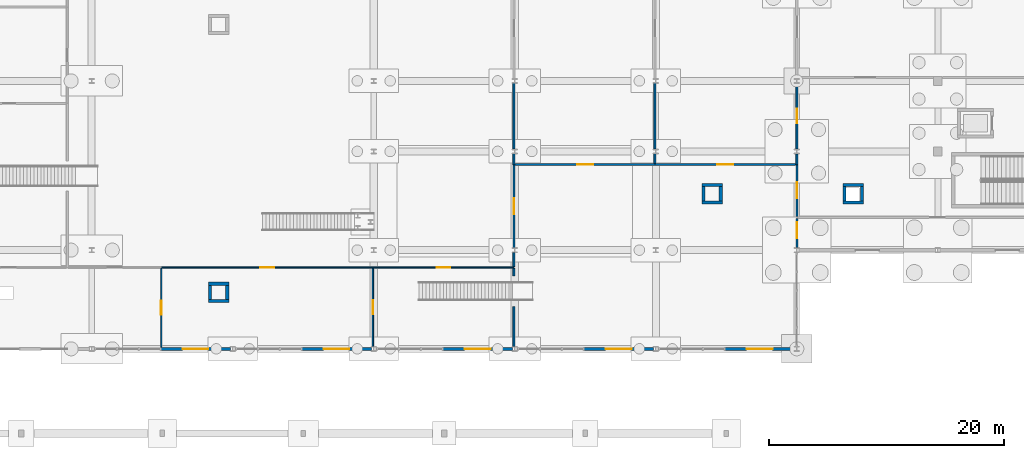
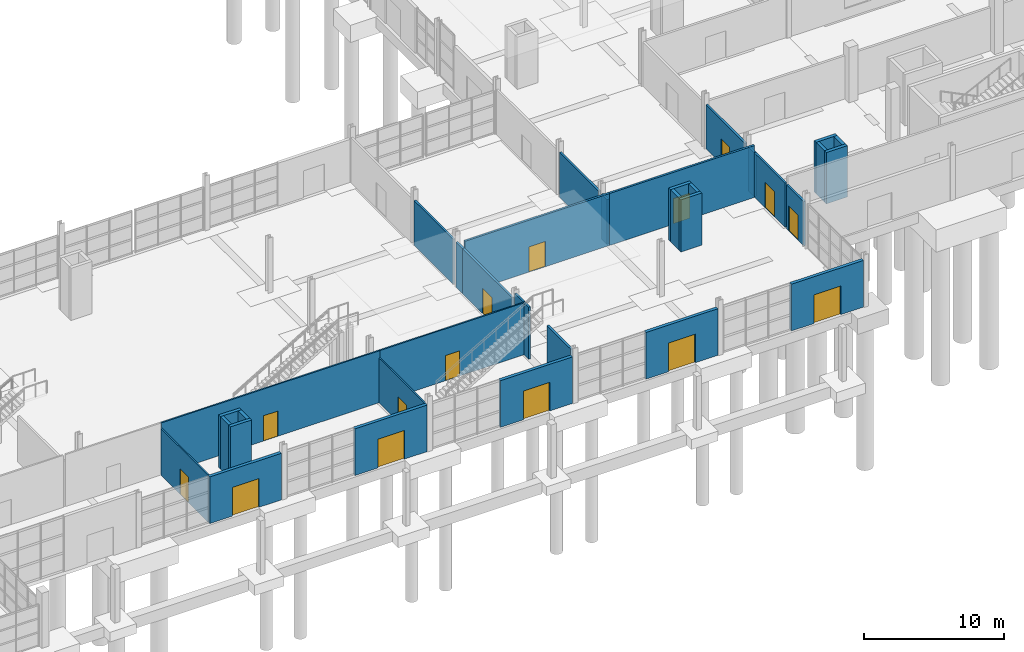
# One storey, part 57 of 82: 35 walls, 15 doors, 15 openings.
"""IFC4 building model written with IfcOpenShell, lengths in metres."""

from ifc_helpers import new_model, si_unit, direction, frame, frame_2d, origin, place, context, subcontext, project, spatial, rectangle, extrude, material, layer, layer_set, type_object, element, fill, save


model = new_model("IFC4")

# Units and contexts
model_context = context("Model", 3, precision=1e-05, world=origin(), true_north=direction((0.0, 1.0)))
body_context = subcontext(model_context, "Body", "Model", "MODEL_VIEW")
ifc_project = project(units=[si_unit("LENGTHUNIT", "METRE"), si_unit("AREAUNIT", "SQUARE_METRE"), si_unit("VOLUMEUNIT", "CUBIC_METRE"), si_unit("PLANEANGLEUNIT", "RADIAN"), si_unit("MASSUNIT", "GRAM", prefix="KILO")], contexts=[model_context])

# Site, building, storey
site_placement = place(None, origin())
site = spatial("IfcSite", under=ifc_project, at=site_placement, CompositionType="ELEMENT")
building_placement = place(site_placement, origin())
building = spatial("IfcBuilding", under=site, at=building_placement, Name="Kelmvaro Bay Concert Hall", CompositionType="ELEMENT")
storey_placement = place(building_placement, origin())
storey = spatial("IfcBuildingStorey", under=building, at=storey_placement, Name="L00", CompositionType="ELEMENT", Elevation=0.0)

# Wall, opening, door
ifc_material_1 = material(Name="Acoustic Gypsum Board on Galvanised Steel Studs", Category="steel")
ifc_layer_1 = layer(ifc_material_1, 0.169921875)
ifc_layer_set_1 = layer_set([ifc_layer_1], Name="Acoustic Gypsum Board on Galvanised Steel Studs")
wall_type_1 = type_object("IfcWallType", Name="Corridor Fire Compartment Partition 170", PredefinedType="PARTITIONING", material=ifc_layer_set_1)
wall_1_placement = place(storey_placement, frame((120.0, 18.47509765625, 0.0), z_axis=(0.0, 0.0, 1.0), x_axis=(0.0, 1.0, 0.0)))
wall_1 = element("IfcWall", 1, at=wall_1_placement, inside=storey, type_object=wall_type_1, Name="L00 Interior Partition PT-L00-0086", PredefinedType="PARTITIONING", context=body_context, shape_type="SweptSolid", body=[
    extrude(rectangle(XDim=4.409912109375, YDim=0.169921875, at=frame_2d((2.205078125, 0.0))), origin(), (0.0, 0.0, 1.0), 3.847900390625),
])
opening_1_placement = place(wall_1_placement, frame((1.52490234375, 0.0, 0.0)))
opening_1 = element("IfcOpeningElement", 2, at=opening_1_placement, cuts=wall_1, Name="Opening ID-DN1", PredefinedType="OPENING", context=body_context, shape_type="SweptSolid", body=[
    extrude(rectangle(XDim=1.360107421875, YDim=2.199951171875, at=frame_2d((0.68017578125, 1.10009765625))), frame((0.0, 0.094970703125, 0.0), z_axis=(0.0, -1.0, 0.0), x_axis=(1.0, 0.0, 0.0)), (0.0, 0.0, 1.0), 0.18994140625),
])
ifc_material_2 = material(Name="Brushed Stainless Steel Core", Category="steel")
door_type_1 = type_object("IfcDoorType", Name="Dining and Kitchen Service Door 1360x2200", OperationType="NOTDEFINED", PredefinedType="DOOR", material=ifc_material_2)
door_1_placement = place(opening_1_placement, origin())
door_1 = element("IfcDoor", 3, at=door_1_placement, inside=storey, type_object=door_type_1, Name="L00 Interior Door DR-INT-L00-0054", OperationType="SINGLE_SWING_RIGHT", OverallHeight=2.199951171875, OverallWidth=1.360107421875, PredefinedType="DOOR", context=body_context, shape_type="SweptSolid", body=[
    extrude(rectangle(XDim=1.360107421875, YDim=2.199951171875, at=frame_2d((0.68017578125, 1.10009765625))), frame((0.0, 0.02490234375, 0.0), z_axis=(0.0, -1.0, 0.0), x_axis=(1.0, 0.0, 0.0)), (0.0, 0.0, 1.0), 0.050048828125),
])
fill(opening_1, door_1)

# Wall
wall_2_placement = place(storey_placement, frame((120.0, 22.875, 0.0), z_axis=(0.0, 0.0, 1.0), x_axis=(0.0, 1.0, 0.0)))
element("IfcWall", 4, at=wall_2_placement, inside=storey, type_object=wall_type_1, Name="L00 Interior Partition PT-L00-0087", PredefinedType="PARTITIONING", context=body_context, shape_type="SweptSolid", body=[
    extrude(rectangle(XDim=0.919921875, YDim=0.169921875, at=frame_2d((0.4599609375, 0.0))), origin(), (0.0, 0.0, 1.0), 3.847900390625),
])

# Wall, opening, door
wall_3_placement = place(storey_placement, frame((120.0, 24.205078125, 0.0), z_axis=(0.0, 0.0, 1.0), x_axis=(0.0, 1.0, 0.0)))
wall_3 = element("IfcWall", 5, at=wall_3_placement, inside=storey, type_object=wall_type_1, Name="L00 Interior Partition PT-L00-0088", PredefinedType="PARTITIONING", context=body_context, shape_type="SweptSolid", body=[
    extrude(rectangle(XDim=5.58984375, YDim=0.169921875, at=frame_2d((2.794921875, 0.0))), origin(), (0.0, 0.0, 1.0), 3.847900390625),
])
opening_2_placement = place(wall_3_placement, frame((2.18505859375, 0.0, 0.0)))
opening_2 = element("IfcOpeningElement", 6, at=opening_2_placement, cuts=wall_3, Name="Opening ID-ST2", PredefinedType="OPENING", context=body_context, shape_type="SweptSolid", body=[
    extrude(rectangle(XDim=1.219970703125, YDim=2.179931640625, at=frame_2d((0.60986328125, 1.08984375))), frame((0.0, 0.094970703125, 0.0), z_axis=(0.0, -1.0, 0.0), x_axis=(1.0, 0.0, 0.0)), (0.0, 0.0, 1.0), 0.18994140625),
])
ifc_material_3 = material(Name="Acoustic Oak and Fire Glass", Category="glass")
door_type_2 = type_object("IfcDoorType", Name="Core Lobby Smoke Control Door 1220x2180", OperationType="NOTDEFINED", PredefinedType="DOOR", material=ifc_material_3)
door_2_placement = place(opening_2_placement, origin())
door_2 = element("IfcDoor", 7, at=door_2_placement, inside=storey, type_object=door_type_2, Name="L00 Interior Door DR-INT-L00-0055", OperationType="SINGLE_SWING_LEFT", OverallHeight=2.179931640625, OverallWidth=1.219970703125, PredefinedType="DOOR", context=body_context, shape_type="SweptSolid", body=[
    extrude(rectangle(XDim=1.219970703125, YDim=2.179931640625, at=frame_2d((0.60986328125, 1.08984375))), frame((0.0, 0.02490234375, 0.0), z_axis=(0.0, -1.0, 0.0), x_axis=(1.0, 0.0, 0.0)), (0.0, 0.0, 1.0), 0.050048828125),
])
fill(opening_2, door_2)

wall_4_placement = place(storey_placement, frame((120.0, 15.8076171875, 0.0), z_axis=(0.0, 0.0, 1.0), x_axis=(0.0, 1.0, 0.0)))
wall_4 = element("IfcWall", 8, at=wall_4_placement, inside=storey, type_object=wall_type_1, Name="L00 Interior Partition PT-L00-0090", PredefinedType="PARTITIONING", context=body_context, shape_type="SweptSolid", body=[
    extrude(rectangle(XDim=2.477294921875, YDim=0.169921875, at=frame_2d((1.23876953125, 0.0))), origin(), (0.0, 0.0, 1.0), 3.847900390625),
])
opening_3_placement = place(wall_4_placement, frame((0.797607421875, 0.0, 0.0)))
opening_3 = element("IfcOpeningElement", 9, at=opening_3_placement, cuts=wall_4, Name="Opening ID-DN1", PredefinedType="OPENING", context=body_context, shape_type="SweptSolid", body=[
    extrude(rectangle(XDim=1.360107421875, YDim=2.199951171875, at=frame_2d((0.68017578125, 1.10009765625))), frame((0.0, 0.094970703125, 0.0), z_axis=(0.0, -1.0, 0.0), x_axis=(1.0, 0.0, 0.0)), (0.0, 0.0, 1.0), 0.18994140625),
])
door_3_placement = place(opening_3_placement, origin())
door_3 = element("IfcDoor", 10, at=door_3_placement, inside=storey, type_object=door_type_1, Name="L00 Interior Door DR-INT-L00-0057", OperationType="SINGLE_SWING_LEFT", OverallHeight=2.199951171875, OverallWidth=1.360107421875, PredefinedType="DOOR", context=body_context, shape_type="SweptSolid", body=[
    extrude(rectangle(XDim=1.360107421875, YDim=2.199951171875, at=frame_2d((0.68017578125, 1.10009765625))), frame((0.0, 0.02490234375, 0.0), z_axis=(0.0, -1.0, 0.0), x_axis=(1.0, 0.0, 0.0)), (0.0, 0.0, 1.0), 0.050048828125),
])
fill(opening_3, door_3)

# Wall
wall_5_placement = place(storey_placement, frame((95.919921875, 14.18994140625, 0.0), z_axis=(0.0, 0.0, 1.0), x_axis=(0.0, 1.0, 0.0)))
element("IfcWall", 11, at=wall_5_placement, inside=storey, type_object=wall_type_1, Name="L00 Interior Partition PT-L00-0100", PredefinedType="PARTITIONING", context=body_context, shape_type="SweptSolid", body=[
    extrude(rectangle(XDim=1.211669921875, YDim=0.169921875, at=frame_2d((0.60595703125, 0.0))), origin(), (0.0, 0.0, 1.0), 4.530029296875),
])

# Wall, opening, door
wall_6_placement = place(storey_placement, frame((95.919921875, 15.798583984375, 0.0), z_axis=(0.0, 0.0, 1.0), x_axis=(0.0, 1.0, 0.0)))
wall_6 = element("IfcWall", 12, at=wall_6_placement, inside=storey, type_object=wall_type_1, Name="L00 Interior Partition PT-L00-0101", PredefinedType="PARTITIONING", context=body_context, shape_type="SweptSolid", body=[
    extrude(rectangle(XDim=7.08642578125, YDim=0.169921875, at=frame_2d((3.543212890625, 0.0))), origin(), (0.0, 0.0, 1.0), 3.91796875),
])
opening_4_placement = place(wall_6_placement, frame((2.86328125, 0.0, 0.0)))
opening_4 = element("IfcOpeningElement", 13, at=opening_4_placement, cuts=wall_6, Name="Opening ID-DN1", PredefinedType="OPENING", context=body_context, shape_type="SweptSolid", body=[
    extrude(rectangle(XDim=1.360107421875, YDim=2.199951171875, at=frame_2d((0.68017578125, 1.10009765625))), frame((0.0, 0.094970703125, 0.0), z_axis=(0.0, -1.0, 0.0), x_axis=(1.0, 0.0, 0.0)), (0.0, 0.0, 1.0), 0.18994140625),
])
door_4_placement = place(opening_4_placement, origin())
door_4 = element("IfcDoor", 14, at=door_4_placement, inside=storey, type_object=door_type_1, Name="L00 Interior Door DR-INT-L00-0064", OperationType="SINGLE_SWING_RIGHT", OverallHeight=2.199951171875, OverallWidth=1.360107421875, PredefinedType="DOOR", context=body_context, shape_type="SweptSolid", body=[
    extrude(rectangle(XDim=1.360107421875, YDim=2.199951171875, at=frame_2d((0.68017578125, 1.10009765625))), frame((0.0, 0.02490234375, 0.0), z_axis=(0.0, -1.0, 0.0), x_axis=(1.0, 0.0, 0.0)), (0.0, 0.0, 1.0), 0.050048828125),
])
fill(opening_4, door_4)

# Walls
wall_7_placement = place(storey_placement, frame((95.919921875, 22.875, 0.0), z_axis=(0.0, 0.0, 1.0), x_axis=(0.0, 1.0, 0.0)))
element("IfcWall", 15, at=wall_7_placement, inside=storey, type_object=wall_type_1, Name="L00 Interior Partition PT-L00-0102", PredefinedType="PARTITIONING", context=body_context, shape_type="SweptSolid", body=[
    extrude(rectangle(XDim=0.926513671875, YDim=0.169921875, at=frame_2d((0.46337890625, 0.0))), origin(), (0.0, 0.0, 1.0), 3.91796875),
])
wall_8_placement = place(storey_placement, frame((95.919921875, 24.198486328125, 0.0), z_axis=(0.0, 0.0, 1.0), x_axis=(0.0, 1.0, 0.0)))
element("IfcWall", 16, at=wall_8_placement, inside=storey, type_object=wall_type_1, Name="L00 Interior Partition PT-L00-0103", PredefinedType="PARTITIONING", context=body_context, shape_type="SweptSolid", body=[
    extrude(rectangle(XDim=5.60302734375, YDim=0.169921875, at=frame_2d((2.801513671875, 0.0))), origin(), (0.0, 0.0, 1.0), 3.91796875),
])
wall_9_placement = place(storey_placement, frame((95.919921875, 7.3984375, 0.0), z_axis=(0.0, 0.0, 1.0), x_axis=(0.0, 1.0, 0.0)))
element("IfcWall", 17, at=wall_9_placement, inside=storey, type_object=wall_type_1, Name="L00 Interior Partition PT-L00-0111", PredefinedType="PARTITIONING", context=body_context, shape_type="SweptSolid", body=[
    extrude(rectangle(XDim=3.401611328125, YDim=0.169921875, at=frame_2d((1.70068359375, 0.0))), origin(), (0.0, 0.0, 1.0), 4.530029296875),
])
wall_10_placement = place(storey_placement, frame((95.919921875, 13.39990234375, 0.0), z_axis=(0.0, 0.0, 1.0), x_axis=(0.0, 1.0, 0.0)))
element("IfcWall", 18, at=wall_10_placement, inside=storey, type_object=wall_type_1, Name="L00 Interior Partition PT-L00-0112", PredefinedType="PARTITIONING", context=body_context, shape_type="SweptSolid", body=[
    extrude(rectangle(XDim=0.650146484375, YDim=0.169921875, at=frame_2d((0.3251953125, 0.0))), origin(), (0.0, 0.0, 1.0), 4.530029296875),
])

# Wall, opening, door
wall_11_placement = place(storey_placement, frame((96.014892578125, 22.8798828125, 0.0), z_axis=(0.0, 0.0, 1.0), x_axis=(1.0, 0.0, 0.0)))
wall_11 = element("IfcWall", 19, at=wall_11_placement, inside=storey, type_object=wall_type_1, Name="L00 Interior Partition PT-L00-0113", PredefinedType="PARTITIONING", context=body_context, shape_type="SweptSolid", body=[
    extrude(rectangle(XDim=11.93505859375, YDim=0.169921875, at=frame_2d((5.967529296875, 0.0))), origin(), (0.0, 0.0, 1.0), 4.530029296875),
])
opening_5_placement = place(wall_11_placement, frame((5.28759765625, 0.0, 0.0)))
opening_5 = element("IfcOpeningElement", 20, at=opening_5_placement, cuts=wall_11, Name="Opening ID-DN1", PredefinedType="OPENING", context=body_context, shape_type="SweptSolid", body=[
    extrude(rectangle(XDim=1.360107421875, YDim=2.199951171875, at=frame_2d((0.68017578125, 1.10009765625))), frame((0.0, 0.094970703125, 0.0), z_axis=(0.0, -1.0, 0.0), x_axis=(1.0, 0.0, 0.0)), (0.0, 0.0, 1.0), 0.18994140625),
])
door_5_placement = place(opening_5_placement, origin())
door_5 = element("IfcDoor", 21, at=door_5_placement, inside=storey, type_object=door_type_1, Name="L00 Interior Door DR-INT-L00-0072", OperationType="SINGLE_SWING_RIGHT", OverallHeight=2.199951171875, OverallWidth=1.360107421875, PredefinedType="DOOR", context=body_context, shape_type="SweptSolid", body=[
    extrude(rectangle(XDim=1.360107421875, YDim=2.199951171875, at=frame_2d((0.68017578125, 1.10009765625))), frame((0.0, 0.02490234375, 0.0), z_axis=(0.0, -1.0, 0.0), x_axis=(1.0, 0.0, 0.0)), (0.0, 0.0, 1.0), 0.050048828125),
])
fill(opening_5, door_5)

wall_12_placement = place(storey_placement, frame((107.949951171875, 22.8798828125, 0.0), z_axis=(0.0, 0.0, 1.0), x_axis=(1.0, 0.0, 0.0)))
wall_12 = element("IfcWall", 22, at=wall_12_placement, inside=storey, type_object=wall_type_1, Name="L00 Interior Partition PT-L00-0114", PredefinedType="PARTITIONING", context=body_context, shape_type="SweptSolid", body=[
    extrude(rectangle(XDim=11.955078125, YDim=0.169921875, at=frame_2d((5.9775390625, 0.0))), origin(), (0.0, 0.0, 1.0), 4.530029296875),
])
opening_6_placement = place(wall_12_placement, frame((5.297607421875, 0.0, 0.0)))
opening_6 = element("IfcOpeningElement", 23, at=opening_6_placement, cuts=wall_12, Name="Opening ID-DN1", PredefinedType="OPENING", context=body_context, shape_type="SweptSolid", body=[
    extrude(rectangle(XDim=1.360107421875, YDim=2.199951171875, at=frame_2d((0.68017578125, 1.10009765625))), frame((0.0, 0.094970703125, 0.0), z_axis=(0.0, -1.0, 0.0), x_axis=(1.0, 0.0, 0.0)), (0.0, 0.0, 1.0), 0.18994140625),
])
door_6_placement = place(opening_6_placement, origin())
door_6 = element("IfcDoor", 24, at=door_6_placement, inside=storey, type_object=door_type_1, Name="L00 Interior Door DR-INT-L00-0073", OperationType="SINGLE_SWING_LEFT", OverallHeight=2.199951171875, OverallWidth=1.360107421875, PredefinedType="DOOR", context=body_context, shape_type="SweptSolid", body=[
    extrude(rectangle(XDim=1.360107421875, YDim=2.199951171875, at=frame_2d((0.68017578125, 1.10009765625))), frame((0.0, 0.02490234375, 0.0), z_axis=(0.0, -1.0, 0.0), x_axis=(1.0, 0.0, 0.0)), (0.0, 0.0, 1.0), 0.050048828125),
])
fill(opening_6, door_6)

# Walls
wall_13_placement = place(storey_placement, frame((107.919921875, 22.97509765625, 0.0), z_axis=(0.0, 0.0, 1.0), x_axis=(0.0, 1.0, 0.0)))
element("IfcWall", 25, at=wall_13_placement, inside=storey, type_object=wall_type_1, Name="L00 Interior Partition PT-L00-0115", PredefinedType="PARTITIONING", context=body_context, shape_type="SweptSolid", body=[
    extrude(rectangle(XDim=0.826416015625, YDim=0.169921875, at=frame_2d((0.4130859375, 0.0))), origin(), (0.0, 0.0, 1.0), 3.91796875),
])
wall_14_placement = place(storey_placement, frame((107.919921875, 24.198486328125, 0.0), z_axis=(0.0, 0.0, 1.0), x_axis=(0.0, 1.0, 0.0)))
element("IfcWall", 26, at=wall_14_placement, inside=storey, type_object=wall_type_1, Name="L00 Interior Partition PT-L00-0116", PredefinedType="PARTITIONING", context=body_context, shape_type="SweptSolid", body=[
    extrude(rectangle(XDim=5.60302734375, YDim=0.169921875, at=frame_2d((2.801513671875, 0.0))), origin(), (0.0, 0.0, 1.0), 3.91796875),
])

# Wall, opening, door
ifc_material_4 = material(Name="Precast Concrete C40/50", Category="concrete")
ifc_layer_2 = layer(ifc_material_4, 0.260009765625)
ifc_layer_set_2 = layer_set([ifc_layer_2], Name="Precast Concrete C40/50")
wall_type_2 = type_object("IfcWallType", Name="Foyer Spandrel Precast Wall 260", PredefinedType="SOLIDWALL", material=ifc_layer_set_2)
wall_15_placement = place(storey_placement, frame((71.800537109375, 7.199951171875, 0.0), z_axis=(0.0, 0.0, 1.0), x_axis=(-1.0, 0.0, 0.0)))
wall_15 = element("IfcWall", 27, at=wall_15_placement, inside=storey, type_object=wall_type_2, Name="L00 Exterior Wall EW-L00-0262", PredefinedType="SOLIDWALL", context=body_context, shape_type="SweptSolid", body=[
    extrude(rectangle(XDim=5.930419921875, YDim=0.260009765625, at=frame_2d((2.96533203125, 0.0))), origin(), (0.0, 0.0, 1.0), 4.068115234375),
])
opening_7_placement = place(wall_15_placement, frame((1.865234375, 0.0, 0.0)))
opening_7 = element("IfcOpeningElement", 28, at=opening_7_placement, cuts=wall_15, Name="Opening ED-220", PredefinedType="OPENING", context=body_context, shape_type="SweptSolid", body=[
    extrude(rectangle(XDim=2.199951171875, YDim=2.5, at=frame_2d((1.10009765625, 1.25))), frame((0.0, 0.139892578125, 0.0), z_axis=(0.0, -1.0, 0.0), x_axis=(1.0, 0.0, 0.0)), (0.0, 0.0, 1.0), 0.280029296875),
])
ifc_material_5 = material(Name="Thermally Broken Aluminium and Laminated Safety Glass", Category="aluminium")
door_type_3 = type_object("IfcDoorType", Name="Grand Foyer Ceremonial Exit Door 2200x2500", OperationType="NOTDEFINED", PredefinedType="DOOR", material=ifc_material_5)
door_7_placement = place(opening_7_placement, origin())
door_7 = element("IfcDoor", 29, at=door_7_placement, inside=storey, type_object=door_type_3, Name="L00 Exterior Door DR-EXT-L00-021", OperationType="DOUBLE_DOOR_SINGLE_SWING", OverallHeight=2.5, OverallWidth=2.199951171875, PredefinedType="DOOR", context=body_context, shape_type="SweptSolid", body=[
    extrude(rectangle(XDim=2.199951171875, YDim=2.5, at=frame_2d((1.10009765625, 1.25))), frame((0.0, 0.02490234375, 0.0), z_axis=(0.0, -1.0, 0.0), x_axis=(1.0, 0.0, 0.0)), (0.0, 0.0, 1.0), 0.050048828125),
])
fill(opening_7, door_7)

wall_16_placement = place(storey_placement, frame((83.800537109375, 7.199951171875, 0.0), z_axis=(0.0, 0.0, 1.0), x_axis=(-1.0, 0.0, 0.0)))
wall_16 = element("IfcWall", 30, at=wall_16_placement, inside=storey, type_object=wall_type_2, Name="L00 Exterior Wall EW-L00-0263", PredefinedType="SOLIDWALL", context=body_context, shape_type="SweptSolid", body=[
    extrude(rectangle(XDim=5.930419921875, YDim=0.260009765625, at=frame_2d((2.96533203125, 0.0))), origin(), (0.0, 0.0, 1.0), 4.068115234375),
])
opening_8_placement = place(wall_16_placement, frame((1.865234375, 0.0, 0.0)))
opening_8 = element("IfcOpeningElement", 31, at=opening_8_placement, cuts=wall_16, Name="Opening ED-220", PredefinedType="OPENING", context=body_context, shape_type="SweptSolid", body=[
    extrude(rectangle(XDim=2.199951171875, YDim=2.5, at=frame_2d((1.10009765625, 1.25))), frame((0.0, 0.139892578125, 0.0), z_axis=(0.0, -1.0, 0.0), x_axis=(1.0, 0.0, 0.0)), (0.0, 0.0, 1.0), 0.280029296875),
])
door_8_placement = place(opening_8_placement, origin())
door_8 = element("IfcDoor", 32, at=door_8_placement, inside=storey, type_object=door_type_3, Name="L00 Exterior Door DR-EXT-L00-022", OperationType="DOUBLE_DOOR_SINGLE_SWING", OverallHeight=2.5, OverallWidth=2.199951171875, PredefinedType="DOOR", context=body_context, shape_type="SweptSolid", body=[
    extrude(rectangle(XDim=2.199951171875, YDim=2.5, at=frame_2d((1.10009765625, 1.25))), frame((0.0, 0.02490234375, 0.0), z_axis=(0.0, -1.0, 0.0), x_axis=(1.0, 0.0, 0.0)), (0.0, 0.0, 1.0), 0.050048828125),
])
fill(opening_8, door_8)

wall_17_placement = place(storey_placement, frame((95.802001953125, 7.199951171875, 0.0), z_axis=(0.0, 0.0, 1.0), x_axis=(-1.0, 0.0, 0.0)))
wall_17 = element("IfcWall", 33, at=wall_17_placement, inside=storey, type_object=wall_type_2, Name="L00 Exterior Wall EW-L00-0264", PredefinedType="SOLIDWALL", context=body_context, shape_type="SweptSolid", body=[
    extrude(rectangle(XDim=5.931884765625, YDim=0.260009765625, at=frame_2d((2.9658203125, 0.0))), origin(), (0.0, 0.0, 1.0), 4.068115234375),
])
opening_9_placement = place(wall_17_placement, frame((1.865966796875, 0.0, 0.0)))
opening_9 = element("IfcOpeningElement", 34, at=opening_9_placement, cuts=wall_17, Name="Opening ED-220", PredefinedType="OPENING", context=body_context, shape_type="SweptSolid", body=[
    extrude(rectangle(XDim=2.199951171875, YDim=2.5, at=frame_2d((1.10009765625, 1.25))), frame((0.0, 0.139892578125, 0.0), z_axis=(0.0, -1.0, 0.0), x_axis=(1.0, 0.0, 0.0)), (0.0, 0.0, 1.0), 0.280029296875),
])
door_9_placement = place(opening_9_placement, origin())
door_9 = element("IfcDoor", 35, at=door_9_placement, inside=storey, type_object=door_type_3, Name="L00 Exterior Door DR-EXT-L00-023", OperationType="DOUBLE_DOOR_SINGLE_SWING", OverallHeight=2.5, OverallWidth=2.199951171875, PredefinedType="DOOR", context=body_context, shape_type="SweptSolid", body=[
    extrude(rectangle(XDim=2.199951171875, YDim=2.5, at=frame_2d((1.10009765625, 1.25))), frame((0.0, 0.02490234375, 0.0), z_axis=(0.0, -1.0, 0.0), x_axis=(1.0, 0.0, 0.0)), (0.0, 0.0, 1.0), 0.050048828125),
])
fill(opening_9, door_9)

wall_18_placement = place(storey_placement, frame((107.802001953125, 7.199951171875, 0.0), z_axis=(0.0, 0.0, 1.0), x_axis=(-1.0, 0.0, 0.0)))
wall_18 = element("IfcWall", 36, at=wall_18_placement, inside=storey, type_object=wall_type_2, Name="L00 Exterior Wall EW-L00-0265", PredefinedType="SOLIDWALL", context=body_context, shape_type="SweptSolid", body=[
    extrude(rectangle(XDim=5.931884765625, YDim=0.260009765625, at=frame_2d((2.9658203125, 0.0))), origin(), (0.0, 0.0, 1.0), 4.068115234375),
])
opening_10_placement = place(wall_18_placement, frame((1.865966796875, 0.0, 0.0)))
opening_10 = element("IfcOpeningElement", 37, at=opening_10_placement, cuts=wall_18, Name="Opening ED-220", PredefinedType="OPENING", context=body_context, shape_type="SweptSolid", body=[
    extrude(rectangle(XDim=2.199951171875, YDim=2.5, at=frame_2d((1.10009765625, 1.25))), frame((0.0, 0.139892578125, 0.0), z_axis=(0.0, -1.0, 0.0), x_axis=(1.0, 0.0, 0.0)), (0.0, 0.0, 1.0), 0.280029296875),
])
door_10_placement = place(opening_10_placement, origin())
door_10 = element("IfcDoor", 38, at=door_10_placement, inside=storey, type_object=door_type_3, Name="L00 Exterior Door DR-EXT-L00-024", OperationType="DOUBLE_DOOR_SINGLE_SWING", OverallHeight=2.5, OverallWidth=2.199951171875, PredefinedType="DOOR", context=body_context, shape_type="SweptSolid", body=[
    extrude(rectangle(XDim=2.199951171875, YDim=2.5, at=frame_2d((1.10009765625, 1.25))), frame((0.0, 0.02490234375, 0.0), z_axis=(0.0, -1.0, 0.0), x_axis=(1.0, 0.0, 0.0)), (0.0, 0.0, 1.0), 0.050048828125),
])
fill(opening_10, door_10)

wall_19_placement = place(storey_placement, frame((119.802001953125, 7.199951171875, 0.0), z_axis=(0.0, 0.0, 1.0), x_axis=(-1.0, 0.0, 0.0)))
wall_19 = element("IfcWall", 39, at=wall_19_placement, inside=storey, type_object=wall_type_2, Name="L00 Exterior Wall EW-L00-0266", PredefinedType="SOLIDWALL", context=body_context, shape_type="SweptSolid", body=[
    extrude(rectangle(XDim=5.931884765625, YDim=0.260009765625, at=frame_2d((2.9658203125, 0.0))), origin(), (0.0, 0.0, 1.0), 4.077880859375),
])
opening_11_placement = place(wall_19_placement, frame((1.865966796875, 0.0, 0.0)))
opening_11 = element("IfcOpeningElement", 40, at=opening_11_placement, cuts=wall_19, Name="Opening ED-220", PredefinedType="OPENING", context=body_context, shape_type="SweptSolid", body=[
    extrude(rectangle(XDim=2.199951171875, YDim=2.5, at=frame_2d((1.10009765625, 1.25))), frame((0.0, 0.139892578125, 0.0), z_axis=(0.0, -1.0, 0.0), x_axis=(1.0, 0.0, 0.0)), (0.0, 0.0, 1.0), 0.280029296875),
])
door_11_placement = place(opening_11_placement, origin())
door_11 = element("IfcDoor", 41, at=door_11_placement, inside=storey, type_object=door_type_3, Name="L00 Exterior Door DR-EXT-L00-025", OperationType="DOUBLE_DOOR_SINGLE_SWING", OverallHeight=2.5, OverallWidth=2.199951171875, PredefinedType="DOOR", context=body_context, shape_type="SweptSolid", body=[
    extrude(rectangle(XDim=2.199951171875, YDim=2.5, at=frame_2d((1.10009765625, 1.25))), frame((0.0, 0.02490234375, 0.0), z_axis=(0.0, -1.0, 0.0), x_axis=(1.0, 0.0, 0.0)), (0.0, 0.0, 1.0), 0.050048828125),
])
fill(opening_11, door_11)

# Walls
ifc_material_6 = material(Name="Concrete C40/50", Category="concrete")
ifc_layer_3 = layer(ifc_material_6, 0.27001953125)
ifc_layer_set_3 = layer_set([ifc_layer_3], Name="Concrete C40/50")
wall_type_3 = type_object("IfcWallType", Name="Secondary Shaft Shear Wall 270", PredefinedType="SHEAR", material=ifc_layer_set_3)
for number, where, z_axis, x_axis, name in (
    (42, (123.929931640625, 19.6650390625, 0.0), (0.0, 0.0, 1.0), (1.0, 0.0, 0.0), "L00 Service Riser Shaft Wall 025-S"),
    (43, (123.929931640625, 21.135009765625, 0.0), (0.0, 0.0, 1.0), (1.0, 0.0, 0.0), "L00 Service Riser Shaft Wall 026-N"),
):
    element("IfcWall", number, at=place(storey_placement, frame(where, z_axis=z_axis, x_axis=x_axis)), inside=storey, type_object=wall_type_3, Name=name, PredefinedType="SHEAR", context=body_context, shape_type="SweptSolid", body=[
        extrude(rectangle(XDim=1.739990234375, YDim=0.27001953125, at=frame_2d((0.8701171875, 0.0))), origin(), (0.0, 0.0, 1.0), 4.47998046875),
    ])
for number, where, z_axis, x_axis, name in (
    (44, (124.06494140625, 19.800048828125, 0.0), (0.0, 0.0, 1.0), (0.0, 1.0, 0.0), "L00 Service Riser Shaft Wall 027-W"),
    (45, (125.534912109375, 19.800048828125, 0.0), (0.0, 0.0, 1.0), (0.0, 1.0, 0.0), "L00 Service Riser Shaft Wall 028-E"),
):
    element("IfcWall", number, at=place(storey_placement, frame(where, z_axis=z_axis, x_axis=x_axis)), inside=storey, type_object=wall_type_3, Name=name, PredefinedType="SHEAR", context=body_context, shape_type="SweptSolid", body=[
        extrude(rectangle(XDim=1.199951171875, YDim=0.27001953125, at=frame_2d((0.60009765625, 0.0))), origin(), (0.0, 0.0, 1.0), 4.47998046875),
    ])
for number, where, z_axis, x_axis, name in (
    (46, (69.929931640625, 11.264892578125, 0.0), (0.0, 0.0, 1.0), (1.0, 0.0, 0.0), "L00 Service Riser Shaft Wall 029-S"),
    (47, (69.929931640625, 12.735107421875, 0.0), (0.0, 0.0, 1.0), (1.0, 0.0, 0.0), "L00 Service Riser Shaft Wall 030-N"),
):
    element("IfcWall", number, at=place(storey_placement, frame(where, z_axis=z_axis, x_axis=x_axis)), inside=storey, type_object=wall_type_3, Name=name, PredefinedType="SHEAR", context=body_context, shape_type="SweptSolid", body=[
        extrude(rectangle(XDim=1.739990234375, YDim=0.27001953125, at=frame_2d((0.8701171875, 0.0))), origin(), (0.0, 0.0, 1.0), 4.550048828125),
    ])
for number, where, z_axis, x_axis, name in (
    (48, (70.06494140625, 11.39990234375, 0.0), (0.0, 0.0, 1.0), (0.0, 1.0, 0.0), "L00 Service Riser Shaft Wall 031-W"),
    (49, (71.534912109375, 11.39990234375, 0.0), (0.0, 0.0, 1.0), (0.0, 1.0, 0.0), "L00 Service Riser Shaft Wall 032-E"),
):
    element("IfcWall", number, at=place(storey_placement, frame(where, z_axis=z_axis, x_axis=x_axis)), inside=storey, type_object=wall_type_3, Name=name, PredefinedType="SHEAR", context=body_context, shape_type="SweptSolid", body=[
        extrude(rectangle(XDim=1.2001953125, YDim=0.27001953125, at=frame_2d((0.60009765625, 0.0))), origin(), (0.0, 0.0, 1.0), 4.550048828125),
    ])
for number, where, z_axis, x_axis, name in (
    (50, (111.929931640625, 19.6650390625, 0.0), (0.0, 0.0, 1.0), (1.0, 0.0, 0.0), "L00 Service Riser Shaft Wall 037-S"),
    (51, (111.929931640625, 21.135009765625, 0.0), (0.0, 0.0, 1.0), (1.0, 0.0, 0.0), "L00 Service Riser Shaft Wall 038-N"),
):
    element("IfcWall", number, at=place(storey_placement, frame(where, z_axis=z_axis, x_axis=x_axis)), inside=storey, type_object=wall_type_3, Name=name, PredefinedType="SHEAR", context=body_context, shape_type="SweptSolid", body=[
        extrude(rectangle(XDim=1.739990234375, YDim=0.27001953125, at=frame_2d((0.8701171875, 0.0))), origin(), (0.0, 0.0, 1.0), 4.550048828125),
    ])
for number, where, z_axis, x_axis, name in (
    (52, (112.06494140625, 19.800048828125, 0.0), (0.0, 0.0, 1.0), (0.0, 1.0, 0.0), "L00 Service Riser Shaft Wall 039-W"),
    (53, (113.534912109375, 19.800048828125, 0.0), (0.0, 0.0, 1.0), (0.0, 1.0, 0.0), "L00 Service Riser Shaft Wall 040-E"),
):
    element("IfcWall", number, at=place(storey_placement, frame(where, z_axis=z_axis, x_axis=x_axis)), inside=storey, type_object=wall_type_3, Name=name, PredefinedType="SHEAR", context=body_context, shape_type="SweptSolid", body=[
        extrude(rectangle(XDim=1.199951171875, YDim=0.27001953125, at=frame_2d((0.60009765625, 0.0))), origin(), (0.0, 0.0, 1.0), 4.550048828125),
    ])

# Wall, opening, door
ifc_material_7 = material(Name="Acoustic Gypsum Board on Galvanised Steel Studs", Category="steel")
ifc_layer_4 = layer(ifc_material_7, 0.1201171875)
ifc_layer_set_4 = layer_set([ifc_layer_4], Name="Acoustic Gypsum Board on Galvanised Steel Studs")
wall_type_4 = type_object("IfcWallType", Name="Standard Architectural Partition 120", PredefinedType="PARTITIONING", material=ifc_layer_set_4)
wall_20_placement = place(storey_placement, frame((65.9150390625, 14.1201171875, 0.0), z_axis=(0.0, 0.0, 1.0), x_axis=(1.0, 0.0, 0.0)))
wall_20 = element("IfcWall", 54, at=wall_20_placement, inside=storey, type_object=wall_type_4, Name="L00 Interior Partition PT-L00-0098", PredefinedType="PARTITIONING", context=body_context, shape_type="SweptSolid", body=[
    extrude(rectangle(XDim=18.034912109375, YDim=0.1201171875, at=frame_2d((9.017578125, 0.0))), origin(), (0.0, 0.0, 1.0), 4.530029296875),
])
opening_12_placement = place(wall_20_placement, frame((8.427490234375, 0.0, 0.0)))
opening_12 = element("IfcOpeningElement", 55, at=opening_12_placement, cuts=wall_20, Name="Opening ID-RT1", PredefinedType="OPENING", context=body_context, shape_type="SweptSolid", body=[
    extrude(rectangle(XDim=1.179931640625, YDim=2.199951171875, at=frame_2d((0.58984375, 1.10009765625))), frame((0.0, 0.070068359375, 0.0), z_axis=(0.0, -1.0, 0.0), x_axis=(1.0, 0.0, 0.0)), (0.0, 0.0, 1.0), 0.14013671875),
])
ifc_material_8 = material(Name="Anodised Aluminium and Glass", Category="aluminium")
door_type_4 = type_object("IfcDoorType", Name="Retail and Box Office Door 1180x2200", OperationType="NOTDEFINED", PredefinedType="DOOR", material=ifc_material_8)
door_12_placement = place(opening_12_placement, origin())
door_12 = element("IfcDoor", 56, at=door_12_placement, inside=storey, type_object=door_type_4, Name="L00 Interior Door DR-INT-L00-0062", OperationType="SINGLE_SWING_RIGHT", OverallHeight=2.199951171875, OverallWidth=1.179931640625, PredefinedType="DOOR", context=body_context, shape_type="SweptSolid", body=[
    extrude(rectangle(XDim=1.179931640625, YDim=2.199951171875, at=frame_2d((0.58984375, 1.10009765625))), frame((0.0, 0.02490234375, 0.0), z_axis=(0.0, -1.0, 0.0), x_axis=(1.0, 0.0, 0.0)), (0.0, 0.0, 1.0), 0.050048828125),
])
fill(opening_12, door_12)

wall_21_placement = place(storey_placement, frame((83.949951171875, 14.1201171875, 0.0), z_axis=(0.0, 0.0, 1.0), x_axis=(1.0, 0.0, 0.0)))
wall_21 = element("IfcWall", 57, at=wall_21_placement, inside=storey, type_object=wall_type_4, Name="L00 Interior Partition PT-L00-0099", PredefinedType="PARTITIONING", context=body_context, shape_type="SweptSolid", body=[
    extrude(rectangle(XDim=11.97509765625, YDim=0.1201171875, at=frame_2d((5.987548828125, 0.0))), origin(), (0.0, 0.0, 1.0), 4.530029296875),
])
opening_13_placement = place(wall_21_placement, frame((5.3974609375, 0.0, 0.0)))
opening_13 = element("IfcOpeningElement", 58, at=opening_13_placement, cuts=wall_21, Name="Opening ID-RT1", PredefinedType="OPENING", context=body_context, shape_type="SweptSolid", body=[
    extrude(rectangle(XDim=1.179931640625, YDim=2.199951171875, at=frame_2d((0.58984375, 1.10009765625))), frame((0.0, 0.070068359375, 0.0), z_axis=(0.0, -1.0, 0.0), x_axis=(1.0, 0.0, 0.0)), (0.0, 0.0, 1.0), 0.14013671875),
])
door_13_placement = place(opening_13_placement, origin())
door_13 = element("IfcDoor", 59, at=door_13_placement, inside=storey, type_object=door_type_4, Name="L00 Interior Door DR-INT-L00-0063", OperationType="SINGLE_SWING_LEFT", OverallHeight=2.199951171875, OverallWidth=1.179931640625, PredefinedType="DOOR", context=body_context, shape_type="SweptSolid", body=[
    extrude(rectangle(XDim=1.179931640625, YDim=2.199951171875, at=frame_2d((0.58984375, 1.10009765625))), frame((0.0, 0.02490234375, 0.0), z_axis=(0.0, -1.0, 0.0), x_axis=(1.0, 0.0, 0.0)), (0.0, 0.0, 1.0), 0.050048828125),
])
fill(opening_13, door_13)

wall_22_placement = place(storey_placement, frame((65.919921875, 7.340087890625, 0.0), z_axis=(0.0, 0.0, 1.0), x_axis=(0.0, 1.0, 0.0)))
wall_22 = element("IfcWall", 60, at=wall_22_placement, inside=storey, type_object=wall_type_4, Name="L00 Interior Partition PT-L00-0109", PredefinedType="PARTITIONING", context=body_context, shape_type="SweptSolid", body=[
    extrude(rectangle(XDim=6.7099609375, YDim=0.1201171875, at=frame_2d((3.35498046875, 0.0))), origin(), (0.0, 0.0, 1.0), 4.074951171875),
])
opening_14_placement = place(wall_22_placement, frame((2.764892578125, 0.0, 0.0)))
opening_14 = element("IfcOpeningElement", 61, at=opening_14_placement, cuts=wall_22, Name="Opening ID-RT1", PredefinedType="OPENING", context=body_context, shape_type="SweptSolid", body=[
    extrude(rectangle(XDim=1.179931640625, YDim=2.199951171875, at=frame_2d((0.58984375, 1.10009765625))), frame((0.0, 0.070068359375, 0.0), z_axis=(0.0, -1.0, 0.0), x_axis=(1.0, 0.0, 0.0)), (0.0, 0.0, 1.0), 0.14013671875),
])
door_14_placement = place(opening_14_placement, origin())
door_14 = element("IfcDoor", 62, at=door_14_placement, inside=storey, type_object=door_type_4, Name="L00 Interior Door DR-INT-L00-0070", OperationType="SINGLE_SWING_RIGHT", OverallHeight=2.199951171875, OverallWidth=1.179931640625, PredefinedType="DOOR", context=body_context, shape_type="SweptSolid", body=[
    extrude(rectangle(XDim=1.179931640625, YDim=2.199951171875, at=frame_2d((0.58984375, 1.10009765625))), frame((0.0, 0.02490234375, 0.0), z_axis=(0.0, -1.0, 0.0), x_axis=(1.0, 0.0, 0.0)), (0.0, 0.0, 1.0), 0.050048828125),
])
fill(opening_14, door_14)

wall_23_placement = place(storey_placement, frame((83.919921875, 7.40087890625, 0.0), z_axis=(0.0, 0.0, 1.0), x_axis=(0.0, 1.0, 0.0)))
wall_23 = element("IfcWall", 63, at=wall_23_placement, inside=storey, type_object=wall_type_4, Name="L00 Interior Partition PT-L00-0110", PredefinedType="PARTITIONING", context=body_context, shape_type="SweptSolid", body=[
    extrude(rectangle(XDim=6.649169921875, YDim=0.1201171875, at=frame_2d((3.32470703125, 0.0))), origin(), (0.0, 0.0, 1.0), 3.91796875),
])
opening_15_placement = place(wall_23_placement, frame((2.734619140625, 0.0, 0.0)))
opening_15 = element("IfcOpeningElement", 64, at=opening_15_placement, cuts=wall_23, Name="Opening ID-RT1", PredefinedType="OPENING", context=body_context, shape_type="SweptSolid", body=[
    extrude(rectangle(XDim=1.179931640625, YDim=2.199951171875, at=frame_2d((0.58984375, 1.10009765625))), frame((0.0, 0.070068359375, 0.0), z_axis=(0.0, -1.0, 0.0), x_axis=(1.0, 0.0, 0.0)), (0.0, 0.0, 1.0), 0.14013671875),
])
door_15_placement = place(opening_15_placement, origin())
door_15 = element("IfcDoor", 65, at=door_15_placement, inside=storey, type_object=door_type_4, Name="L00 Interior Door DR-INT-L00-0071", OperationType="SINGLE_SWING_LEFT", OverallHeight=2.199951171875, OverallWidth=1.179931640625, PredefinedType="DOOR", context=body_context, shape_type="SweptSolid", body=[
    extrude(rectangle(XDim=1.179931640625, YDim=2.199951171875, at=frame_2d((0.58984375, 1.10009765625))), frame((0.0, 0.02490234375, 0.0), z_axis=(0.0, -1.0, 0.0), x_axis=(1.0, 0.0, 0.0)), (0.0, 0.0, 1.0), 0.050048828125),
])
fill(opening_15, door_15)

save(model, "model.ifc")
